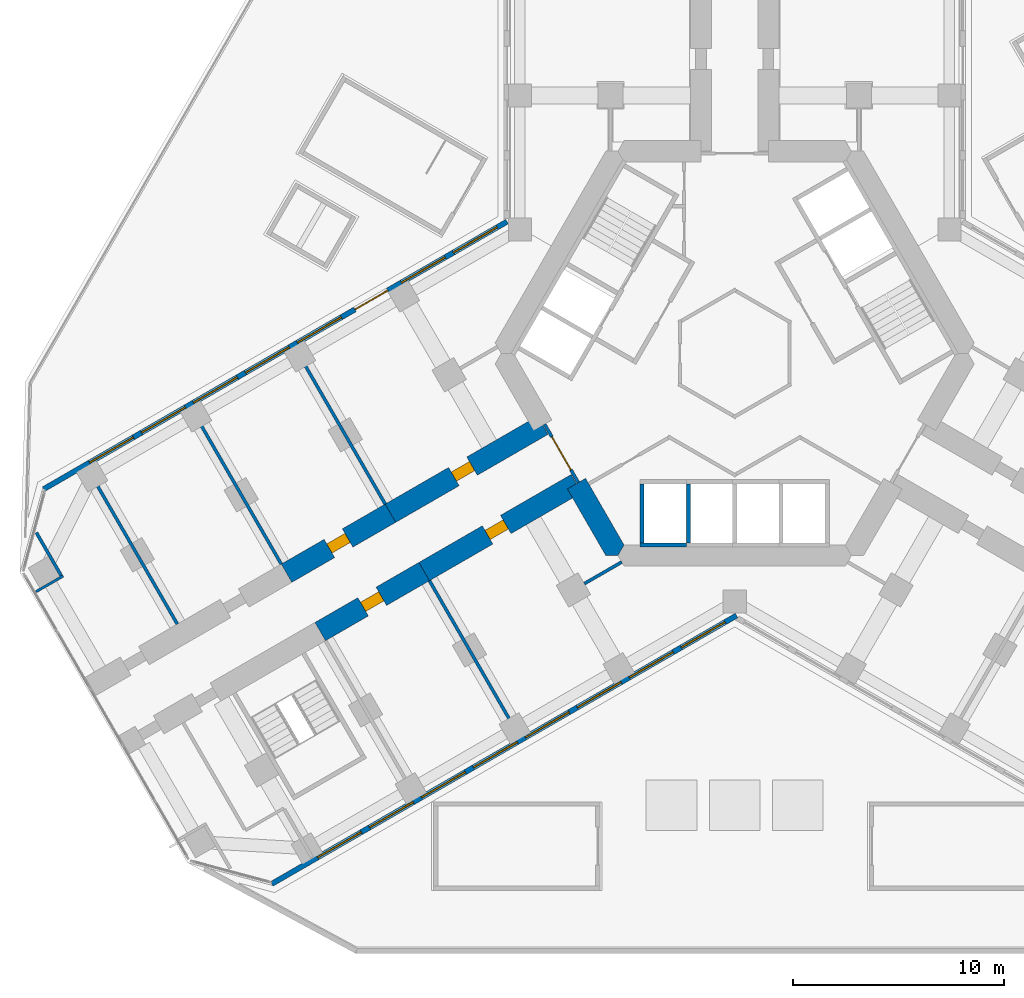
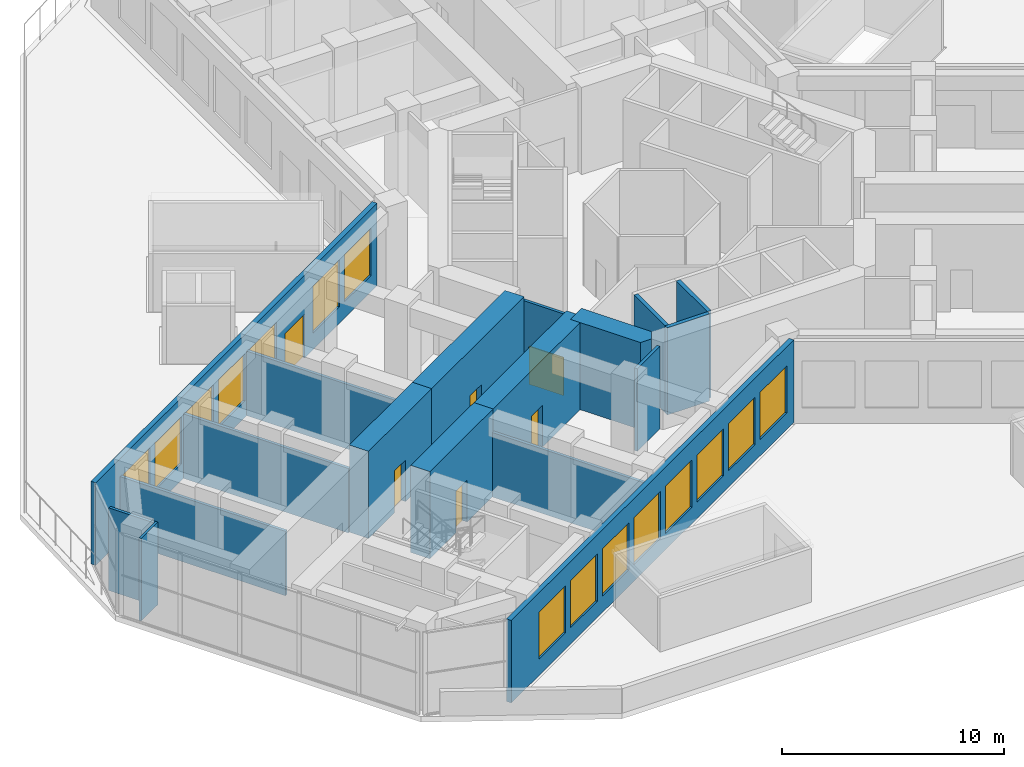
# One storey, part 10 of 18: 18 walls, 15 windows, 6 doors, 21 openings.
"""IFC4 building model written with IfcOpenShell, lengths in metres."""

from ifc_helpers import new_model, si_unit, direction, frame, frame_2d, origin, place, context, subcontext, project, spatial, polyline, rectangle, outline, extrude, material, layer, layer_set, type_object, element, fill, save


model = new_model("IFC4")

# Units and contexts
model_context = context("Model", 3, precision=1e-05, world=origin(), true_north=direction((0.0, 1.0)))
body_context = subcontext(model_context, "Body", "Model", "MODEL_VIEW")
ifc_project = project(units=[si_unit("LENGTHUNIT", "METRE"), si_unit("AREAUNIT", "SQUARE_METRE"), si_unit("VOLUMEUNIT", "CUBIC_METRE"), si_unit("PLANEANGLEUNIT", "RADIAN"), si_unit("MASSUNIT", "GRAM", prefix="KILO")], contexts=[model_context])

# Site, building, storey
site_placement = place(None, origin())
site = spatial("IfcSite", under=ifc_project, at=site_placement, CompositionType="ELEMENT")
building_placement = place(site_placement, origin())
building = spatial("IfcBuilding", under=site, at=building_placement, Name="Kosmar Iwan School Tower", CompositionType="ELEMENT")
storey_placement = place(building_placement, frame((0.0, 0.0, 20.39990234375)))
storey = spatial("IfcBuildingStorey", under=building, at=storey_placement, Name="L04", CompositionType="ELEMENT", Elevation=20.39990234375)

# Wall
ifc_material_1 = material(Name="Concrete C50/60", Category="concrete")
ifc_layer_1 = layer(ifc_material_1, 1.0)
ifc_layer_set_1 = layer_set([ifc_layer_1], Name="Core wall 1000")
wall_type_1 = type_object("IfcWallType", Name="Core wall 1000", PredefinedType="SHEAR", material=ifc_layer_set_1)
wall_1_placement = place(storey_placement, origin())
element("IfcWall", 1, at=wall_1_placement, inside=storey, type_object=wall_type_1, Name="Core wall F210b", PredefinedType="SHEAR", context=body_context, shape_type="SweptSolid", body=[
    extrude(outline(polyline([(-6.119873046875, -9.60009765625), (-5.54248046875, -9.60009765625), (-5.25390625, -9.10009765625), (-7.080810546875, -5.935546875), (-7.94677734375, -6.435546875), (-6.119873046875, -9.60009765625)])), origin(), (0.0, 0.0, 1.0), 4.800048828125),
])

# Wall, opening, door
ifc_material_2 = material(Name="Concrete C50/60", Category="concrete")
ifc_layer_2 = layer(ifc_material_2, 1.0)
ifc_layer_set_2 = layer_set([ifc_layer_2], Name="Corridor buttress wall 1000")
wall_type_2 = type_object("IfcWallType", Name="Corridor buttress wall 1000", PredefinedType="SHEAR", material=ifc_layer_set_2)
wall_2_placement = place(storey_placement, frame((-7.513916015625, -6.185546875, 0.0), z_axis=(0.0, 0.0, 1.0), x_axis=(-0.866019549707, -0.500010139422, 0.0)))
wall_2 = element("IfcWall", 2, at=wall_2_placement, inside=storey, type_object=wall_type_2, Name="Corridor wall BL", PredefinedType="SHEAR", context=body_context, shape_type="SweptSolid", body=[
    extrude(rectangle(XDim=8.349853515625, YDim=1.0, at=frame_2d((4.1748046875, 0.0))), origin(), (0.0, 0.0, 1.0), 4.800048828125),
])
opening_1_placement = place(wall_2_placement, frame((3.875, 0.0, 0.0)))
opening_1 = element("IfcOpeningElement", 3, at=opening_1_placement, cuts=wall_2, Name="Opening D4", PredefinedType="OPENING", context=body_context, shape_type="SweptSolid", body=[
    extrude(rectangle(XDim=1.0, YDim=2.300048828125, at=frame_2d((0.5, 1.14990234375))), frame((0.0, 0.511962890625, 0.0), z_axis=(0.0, -1.0, 0.0), x_axis=(1.0, 0.0, 0.0)), (0.0, 0.0, 1.0), 1.02392578125),
])
ifc_material_3 = material(Name="Timber fire door with vision panel", Category="wood")
door_type_1 = type_object("IfcDoorType", Name="Classroom door 1000x2300", OperationType="SINGLE_SWING_LEFT", PredefinedType="DOOR", material=ifc_material_3)
door_1_placement = place(opening_1_placement, origin())
door_1 = element("IfcDoor", 4, at=door_1_placement, inside=storey, type_object=door_type_1, Name="Computer room BL door L04-BL1", OperationType="SINGLE_SWING_RIGHT", OverallHeight=2.300048828125, OverallWidth=1.0, PredefinedType="DOOR", context=body_context, shape_type="SweptSolid", body=[
    extrude(rectangle(XDim=1.0, YDim=2.300048828125, at=frame_2d((0.5, 1.14990234375))), frame((0.0, 0.25, 0.0), z_axis=(0.0, -1.0, 0.0), x_axis=(1.0, 0.0, 0.0)), (0.0, 0.0, 1.0), 0.5),
])
fill(opening_1, door_1)

wall_3_placement = place(storey_placement, frame((-14.7451171875, -10.360595703125, 0.0), z_axis=(0.0, 0.0, 1.0), x_axis=(-0.866015111908, -0.50001782563, 0.0)))
wall_3 = element("IfcWall", 5, at=wall_3_placement, inside=storey, type_object=wall_type_2, Name="Corridor wall BL bay 2", PredefinedType="SHEAR", context=body_context, shape_type="SweptSolid", body=[
    extrude(rectangle(XDim=5.699951171875, YDim=1.0, at=frame_2d((2.85009765625, 0.0))), origin(), (0.0, 0.0, 1.0), 4.800048828125),
])
opening_2_placement = place(wall_3_placement, frame((2.35009765625, 0.0, 0.0)))
opening_2 = element("IfcOpeningElement", 6, at=opening_2_placement, cuts=wall_3, Name="Opening D4", PredefinedType="OPENING", context=body_context, shape_type="SweptSolid", body=[
    extrude(rectangle(XDim=1.0, YDim=2.300048828125, at=frame_2d((0.5, 1.14990234375))), frame((0.0, 0.511962890625, 0.0), z_axis=(0.0, -1.0, 0.0), x_axis=(1.0, 0.0, 0.0)), (0.0, 0.0, 1.0), 1.02392578125),
])
door_2_placement = place(opening_2_placement, origin())
door_2 = element("IfcDoor", 7, at=door_2_placement, inside=storey, type_object=door_type_1, Name="Robotics studio BL door L04-BL2", OperationType="SINGLE_SWING_RIGHT", OverallHeight=2.300048828125, OverallWidth=1.0, PredefinedType="DOOR", context=body_context, shape_type="SweptSolid", body=[
    extrude(rectangle(XDim=1.0, YDim=2.300048828125, at=frame_2d((0.5, 1.14990234375))), frame((0.0, 0.25, 0.0), z_axis=(0.0, -1.0, 0.0), x_axis=(1.0, 0.0, 0.0)), (0.0, 0.0, 1.0), 0.5),
])
fill(opening_2, door_2)

wall_4_placement = place(storey_placement, frame((-9.11376953125, -3.414306640625, 0.0), z_axis=(0.0, 0.0, 1.0), x_axis=(-0.866026859388, -0.499997478812, 0.0)))
wall_4 = element("IfcWall", 8, at=wall_4_placement, inside=storey, type_object=wall_type_2, Name="Corridor wall BR", PredefinedType="SHEAR", context=body_context, shape_type="SweptSolid", body=[
    extrude(rectangle(XDim=8.35009765625, YDim=1.0, at=frame_2d((4.175048828125, 0.0))), origin(), (0.0, 0.0, 1.0), 4.800048828125),
])
opening_3_placement = place(wall_4_placement, frame((3.875, 0.0, 0.0)))
opening_3 = element("IfcOpeningElement", 9, at=opening_3_placement, cuts=wall_4, Name="Opening D4", PredefinedType="OPENING", context=body_context, shape_type="SweptSolid", body=[
    extrude(rectangle(XDim=1.0, YDim=2.300048828125, at=frame_2d((0.5, 1.14990234375))), frame((0.0, 0.511962890625, 0.0), z_axis=(0.0, -1.0, 0.0), x_axis=(1.0, 0.0, 0.0)), (0.0, 0.0, 1.0), 1.02392578125),
])
door_3_placement = place(opening_3_placement, origin())
door_3 = element("IfcDoor", 10, at=door_3_placement, inside=storey, type_object=door_type_1, Name="Computer room BR door L04-BR1", OperationType="SINGLE_SWING_RIGHT", OverallHeight=2.300048828125, OverallWidth=1.0, PredefinedType="DOOR", context=body_context, shape_type="SweptSolid", body=[
    extrude(rectangle(XDim=1.0, YDim=2.300048828125, at=frame_2d((0.5, 1.14990234375))), frame((0.0, 0.25, 0.0), z_axis=(0.0, -1.0, 0.0), x_axis=(1.0, 0.0, 0.0)), (0.0, 0.0, 1.0), 0.5),
])
fill(opening_3, door_3)

wall_5_placement = place(storey_placement, frame((-16.34521484375, -7.58935546875, 0.0), z_axis=(0.0, 0.0, 1.0), x_axis=(-0.866015111908, -0.50001782563, 0.0)))
wall_5 = element("IfcWall", 11, at=wall_5_placement, inside=storey, type_object=wall_type_2, Name="Corridor wall BR bay 2", PredefinedType="SHEAR", context=body_context, shape_type="SweptSolid", body=[
    extrude(rectangle(XDim=5.699951171875, YDim=1.0, at=frame_2d((2.85009765625, 0.0))), origin(), (0.0, 0.0, 1.0), 4.800048828125),
])
opening_4_placement = place(wall_5_placement, frame((2.35009765625, 0.0, 0.0)))
opening_4 = element("IfcOpeningElement", 12, at=opening_4_placement, cuts=wall_5, Name="Opening D4", PredefinedType="OPENING", context=body_context, shape_type="SweptSolid", body=[
    extrude(rectangle(XDim=1.0, YDim=2.300048828125, at=frame_2d((0.5, 1.14990234375))), frame((0.0, 0.511962890625, 0.0), z_axis=(0.0, -1.0, 0.0), x_axis=(1.0, 0.0, 0.0)), (0.0, 0.0, 1.0), 1.02392578125),
])
door_4_placement = place(opening_4_placement, origin())
door_4 = element("IfcDoor", 13, at=door_4_placement, inside=storey, type_object=door_type_1, Name="Robotics studio BR door L04-BR2", OperationType="SINGLE_SWING_LEFT", OverallHeight=2.300048828125, OverallWidth=1.0, PredefinedType="DOOR", context=body_context, shape_type="SweptSolid", body=[
    extrude(rectangle(XDim=1.0, YDim=2.300048828125, at=frame_2d((0.5, 1.14990234375))), frame((0.0, 0.25, 0.0), z_axis=(0.0, -1.0, 0.0), x_axis=(1.0, 0.0, 0.0)), (0.0, 0.0, 1.0), 0.5),
])
fill(opening_4, door_4)

ifc_material_4 = material(Name="Steel framed glazed screen", Category="steel")
ifc_layer_3 = layer(ifc_material_4, 0.14990234375)
ifc_layer_set_3 = layer_set([ifc_layer_3], Name="Corridor screen wall 150")
wall_type_3 = type_object("IfcWallType", Name="Corridor screen wall 150", PredefinedType="PARTITIONING", material=ifc_layer_set_3)
wall_6_placement = place(storey_placement, frame((-9.02734375, -3.3642578125, 0.0), z_axis=(0.0, 0.0, 1.0), x_axis=(0.499995408039, -0.866028054938, 0.0)))
wall_6 = element("IfcWall", 14, at=wall_6_placement, inside=storey, type_object=wall_type_3, Name="Corridor screen B L04", PredefinedType="PARTITIONING", context=body_context, shape_type="SweptSolid", body=[
    extrude(rectangle(XDim=3.2001953125, YDim=0.14990234375, at=frame_2d((1.60009765625, 0.0))), origin(), (0.0, 0.0, 1.0), 4.550048828125),
])
opening_5_placement = place(wall_6_placement, frame((0.699951171875, 0.0, 0.0)))
opening_5 = element("IfcOpeningElement", 15, at=opening_5_placement, cuts=wall_6, Name="Opening D9", PredefinedType="OPENING", context=body_context, shape_type="SweptSolid", body=[
    extrude(rectangle(XDim=1.800048828125, YDim=2.10009765625, at=frame_2d((0.89990234375, 1.050048828125))), frame((0.0, 0.0869140625, 0.0), z_axis=(0.0, -1.0, 0.0), x_axis=(1.0, 0.0, 0.0)), (0.0, 0.0, 1.0), 0.173828125),
])
ifc_material_5 = material(Name="Steel framed glazed smoke door", Category="steel")
door_type_2 = type_object("IfcDoorType", Name="Corridor smoke door pair 1800x2100", OperationType="DOUBLE_DOOR_DOUBLE_SWING", PredefinedType="DOOR", material=ifc_material_5)
door_5_placement = place(opening_5_placement, origin())
door_5 = element("IfcDoor", 16, at=door_5_placement, inside=storey, type_object=door_type_2, Name="Corridor doors B L04", OperationType="DOUBLE_DOOR_DOUBLE_SWING", OverallHeight=2.10009765625, OverallWidth=1.800048828125, PredefinedType="DOOR", context=body_context, shape_type="SweptSolid", body=[
    extrude(rectangle(XDim=1.800048828125, YDim=2.10009765625, at=frame_2d((0.89990234375, 1.050048828125))), frame((0.0, 0.02490234375, 0.0), z_axis=(0.0, -1.0, 0.0), x_axis=(1.0, 0.0, 0.0)), (0.0, 0.0, 1.0), 0.050048828125),
])
fill(opening_5, door_5)

# Wall
ifc_material_6 = material(Name="Gypsum board on steel studs", Category="steel")
ifc_layer_4 = layer(ifc_material_6, 0.1201171875)
ifc_layer_set_4 = layer_set([ifc_layer_4], Name="Dwelling partition 120")
wall_type_4 = type_object("IfcWallType", Name="Dwelling partition 120", PredefinedType="PARTITIONING", material=ifc_layer_set_4)
wall_7_placement = place(storey_placement, frame((-31.88720703125, -10.569580078125, 0.0), z_axis=(0.0, 0.0, 1.0), x_axis=(-0.866003374288, -0.500038154266, 0.0)))
element("IfcWall", 17, at=wall_7_placement, inside=storey, type_object=wall_type_4, Name="Partition L04-BR-DL", PredefinedType="PARTITIONING", context=body_context, shape_type="SweptSolid", body=[
    extrude(rectangle(XDim=1.4951171875, YDim=0.1201171875, at=frame_2d((0.74755859375, 0.0))), origin(), (0.0, 0.0, 1.0), 4.550048828125),
])

# Wall, openings, windows
ifc_material_7 = material(Name="Black aluminium rainscreen on insulated framing", Category="aluminium")
ifc_layer_5 = layer(ifc_material_7, 0.25)
ifc_layer_set_5 = layer_set([ifc_layer_5], Name="External wall rainscreen 250")
wall_type_5 = type_object("IfcWallType", Name="External wall rainscreen 250", PredefinedType="SOLIDWALL", material=ifc_layer_set_5)
wall_8_placement = place(storey_placement, frame((0.088134765625, -12.44873046875, 0.0), z_axis=(0.0, 0.0, 1.0), x_axis=(-0.866026390279, -0.499998291337, 0.0)))
wall_8 = element("IfcWall", 18, at=wall_8_placement, inside=storey, type_object=wall_type_5, Name="External wall BL L04", PredefinedType="SOLIDWALL", context=body_context, shape_type="SweptSolid", body=[
    extrude(rectangle(XDim=25.4873046875, YDim=0.25, at=frame_2d((12.74365234375, 0.0))), origin(), (0.0, 0.0, 1.0), 4.550048828125),
])
opening_6_placement = place(wall_8_placement, frame((0.626953125, 0.0, 0.89990234375)))
opening_6 = element("IfcOpeningElement", 19, at=opening_6_placement, cuts=wall_8, Name="Opening W2", PredefinedType="OPENING", context=body_context, shape_type="SweptSolid", body=[
    extrude(rectangle(XDim=2.39990234375, YDim=2.60009765625, at=frame_2d((1.199951171875, 1.300048828125))), frame((0.0, 0.136962890625, 0.0), z_axis=(0.0, -1.0, 0.0), x_axis=(1.0, 0.0, 0.0)), (0.0, 0.0, 1.0), 0.27392578125),
])
opening_7_placement = place(wall_8_placement, frame((3.47705078125, 0.0, 0.89990234375)))
opening_7 = element("IfcOpeningElement", 20, at=opening_7_placement, cuts=wall_8, Name="Opening W2", PredefinedType="OPENING", context=body_context, shape_type="SweptSolid", body=[
    extrude(rectangle(XDim=2.39990234375, YDim=2.60009765625, at=frame_2d((1.199951171875, 1.300048828125))), frame((0.0, 0.136962890625, 0.0), z_axis=(0.0, -1.0, 0.0), x_axis=(1.0, 0.0, 0.0)), (0.0, 0.0, 1.0), 0.27392578125),
])
opening_8_placement = place(wall_8_placement, frame((6.326904296875, 0.0, 0.89990234375)))
opening_8 = element("IfcOpeningElement", 21, at=opening_8_placement, cuts=wall_8, Name="Opening W2", PredefinedType="OPENING", context=body_context, shape_type="SweptSolid", body=[
    extrude(rectangle(XDim=2.39990234375, YDim=2.60009765625, at=frame_2d((1.199951171875, 1.300048828125))), frame((0.0, 0.136962890625, 0.0), z_axis=(0.0, -1.0, 0.0), x_axis=(1.0, 0.0, 0.0)), (0.0, 0.0, 1.0), 0.27392578125),
])
opening_9_placement = place(wall_8_placement, frame((9.177001953125, 0.0, 0.89990234375)))
opening_9 = element("IfcOpeningElement", 22, at=opening_9_placement, cuts=wall_8, Name="Opening W2", PredefinedType="OPENING", context=body_context, shape_type="SweptSolid", body=[
    extrude(rectangle(XDim=2.39990234375, YDim=2.60009765625, at=frame_2d((1.199951171875, 1.300048828125))), frame((0.0, 0.136962890625, 0.0), z_axis=(0.0, -1.0, 0.0), x_axis=(1.0, 0.0, 0.0)), (0.0, 0.0, 1.0), 0.27392578125),
])
opening_10_placement = place(wall_8_placement, frame((12.027099609375, 0.0, 0.89990234375)))
opening_10 = element("IfcOpeningElement", 23, at=opening_10_placement, cuts=wall_8, Name="Opening W2", PredefinedType="OPENING", context=body_context, shape_type="SweptSolid", body=[
    extrude(rectangle(XDim=2.39990234375, YDim=2.60009765625, at=frame_2d((1.199951171875, 1.300048828125))), frame((0.0, 0.136962890625, 0.0), z_axis=(0.0, -1.0, 0.0), x_axis=(1.0, 0.0, 0.0)), (0.0, 0.0, 1.0), 0.27392578125),
])
opening_11_placement = place(wall_8_placement, frame((14.876953125, 0.0, 0.89990234375)))
opening_11 = element("IfcOpeningElement", 24, at=opening_11_placement, cuts=wall_8, Name="Opening W2", PredefinedType="OPENING", context=body_context, shape_type="SweptSolid", body=[
    extrude(rectangle(XDim=2.39990234375, YDim=2.60009765625, at=frame_2d((1.199951171875, 1.300048828125))), frame((0.0, 0.136962890625, 0.0), z_axis=(0.0, -1.0, 0.0), x_axis=(1.0, 0.0, 0.0)), (0.0, 0.0, 1.0), 0.27392578125),
])
opening_12_placement = place(wall_8_placement, frame((17.72705078125, 0.0, 0.89990234375)))
opening_12 = element("IfcOpeningElement", 25, at=opening_12_placement, cuts=wall_8, Name="Opening W2", PredefinedType="OPENING", context=body_context, shape_type="SweptSolid", body=[
    extrude(rectangle(XDim=2.39990234375, YDim=2.60009765625, at=frame_2d((1.199951171875, 1.300048828125))), frame((0.0, 0.136962890625, 0.0), z_axis=(0.0, -1.0, 0.0), x_axis=(1.0, 0.0, 0.0)), (0.0, 0.0, 1.0), 0.27392578125),
])
opening_13_placement = place(wall_8_placement, frame((20.576904296875, 0.0, 0.89990234375)))
opening_13 = element("IfcOpeningElement", 26, at=opening_13_placement, cuts=wall_8, Name="Opening W2", PredefinedType="OPENING", context=body_context, shape_type="SweptSolid", body=[
    extrude(rectangle(XDim=2.39990234375, YDim=2.60009765625, at=frame_2d((1.199951171875, 1.300048828125))), frame((0.0, 0.136962890625, 0.0), z_axis=(0.0, -1.0, 0.0), x_axis=(1.0, 0.0, 0.0)), (0.0, 0.0, 1.0), 0.27392578125),
])
ifc_material_8 = material(Name="Black aluminium frame with dark triple glazing", Category="aluminium")
window_type = type_object("IfcWindowType", Name="Window 2400x2600", PartitioningType="SINGLE_PANEL", PredefinedType="WINDOW", material=ifc_material_8)
window_1_placement = place(opening_6_placement, origin())
window_1 = element("IfcWindow", 27, at=window_1_placement, inside=storey, type_object=window_type, Name="Window BL L04 -1", OverallHeight=2.60009765625, OverallWidth=2.39990234375, PartitioningType="SINGLE_PANEL", PredefinedType="WINDOW", context=body_context, shape_type="SweptSolid", body=[
    extrude(rectangle(XDim=2.39990234375, YDim=2.60009765625, at=frame_2d((1.199951171875, 1.300048828125))), frame((0.0, 0.030029296875, 0.0), z_axis=(0.0, -1.0, 0.0), x_axis=(1.0, 0.0, 0.0)), (0.0, 0.0, 1.0), 0.06005859375),
])
fill(opening_6, window_1)
window_2_placement = place(opening_7_placement, origin())
window_2 = element("IfcWindow", 28, at=window_2_placement, inside=storey, type_object=window_type, Name="Window BL L04 0", OverallHeight=2.60009765625, OverallWidth=2.39990234375, PartitioningType="SINGLE_PANEL", PredefinedType="WINDOW", context=body_context, shape_type="SweptSolid", body=[
    extrude(rectangle(XDim=2.39990234375, YDim=2.60009765625, at=frame_2d((1.199951171875, 1.300048828125))), frame((0.0, 0.030029296875, 0.0), z_axis=(0.0, -1.0, 0.0), x_axis=(1.0, 0.0, 0.0)), (0.0, 0.0, 1.0), 0.06005859375),
])
fill(opening_7, window_2)
window_3_placement = place(opening_8_placement, origin())
window_3 = element("IfcWindow", 29, at=window_3_placement, inside=storey, type_object=window_type, Name="Window BL L04 1", OverallHeight=2.60009765625, OverallWidth=2.39990234375, PartitioningType="SINGLE_PANEL", PredefinedType="WINDOW", context=body_context, shape_type="SweptSolid", body=[
    extrude(rectangle(XDim=2.39990234375, YDim=2.60009765625, at=frame_2d((1.199951171875, 1.300048828125))), frame((0.0, 0.030029296875, 0.0), z_axis=(0.0, -1.0, 0.0), x_axis=(1.0, 0.0, 0.0)), (0.0, 0.0, 1.0), 0.06005859375),
])
fill(opening_8, window_3)
window_4_placement = place(opening_9_placement, origin())
window_4 = element("IfcWindow", 30, at=window_4_placement, inside=storey, type_object=window_type, Name="Window BL L04 2", OverallHeight=2.60009765625, OverallWidth=2.39990234375, PartitioningType="SINGLE_PANEL", PredefinedType="WINDOW", context=body_context, shape_type="SweptSolid", body=[
    extrude(rectangle(XDim=2.39990234375, YDim=2.60009765625, at=frame_2d((1.199951171875, 1.300048828125))), frame((0.0, 0.030029296875, 0.0), z_axis=(0.0, -1.0, 0.0), x_axis=(1.0, 0.0, 0.0)), (0.0, 0.0, 1.0), 0.06005859375),
])
fill(opening_9, window_4)
window_5_placement = place(opening_10_placement, origin())
window_5 = element("IfcWindow", 31, at=window_5_placement, inside=storey, type_object=window_type, Name="Window BL L04 3", OverallHeight=2.60009765625, OverallWidth=2.39990234375, PartitioningType="SINGLE_PANEL", PredefinedType="WINDOW", context=body_context, shape_type="SweptSolid", body=[
    extrude(rectangle(XDim=2.39990234375, YDim=2.60009765625, at=frame_2d((1.199951171875, 1.300048828125))), frame((0.0, 0.030029296875, 0.0), z_axis=(0.0, -1.0, 0.0), x_axis=(1.0, 0.0, 0.0)), (0.0, 0.0, 1.0), 0.06005859375),
])
fill(opening_10, window_5)
window_6_placement = place(opening_11_placement, origin())
window_6 = element("IfcWindow", 32, at=window_6_placement, inside=storey, type_object=window_type, Name="Window BL L04 4", OverallHeight=2.60009765625, OverallWidth=2.39990234375, PartitioningType="SINGLE_PANEL", PredefinedType="WINDOW", context=body_context, shape_type="SweptSolid", body=[
    extrude(rectangle(XDim=2.39990234375, YDim=2.60009765625, at=frame_2d((1.199951171875, 1.300048828125))), frame((0.0, 0.030029296875, 0.0), z_axis=(0.0, -1.0, 0.0), x_axis=(1.0, 0.0, 0.0)), (0.0, 0.0, 1.0), 0.06005859375),
])
fill(opening_11, window_6)
window_7_placement = place(opening_12_placement, origin())
window_7 = element("IfcWindow", 33, at=window_7_placement, inside=storey, type_object=window_type, Name="Window BL L04 5", OverallHeight=2.60009765625, OverallWidth=2.39990234375, PartitioningType="SINGLE_PANEL", PredefinedType="WINDOW", context=body_context, shape_type="SweptSolid", body=[
    extrude(rectangle(XDim=2.39990234375, YDim=2.60009765625, at=frame_2d((1.199951171875, 1.300048828125))), frame((0.0, 0.030029296875, 0.0), z_axis=(0.0, -1.0, 0.0), x_axis=(1.0, 0.0, 0.0)), (0.0, 0.0, 1.0), 0.06005859375),
])
fill(opening_12, window_7)
window_8_placement = place(opening_13_placement, origin())
window_8 = element("IfcWindow", 34, at=window_8_placement, inside=storey, type_object=window_type, Name="Window BL L04 6", OverallHeight=2.60009765625, OverallWidth=2.39990234375, PartitioningType="SINGLE_PANEL", PredefinedType="WINDOW", context=body_context, shape_type="SweptSolid", body=[
    extrude(rectangle(XDim=2.39990234375, YDim=2.60009765625, at=frame_2d((1.199951171875, 1.300048828125))), frame((0.0, 0.030029296875, 0.0), z_axis=(0.0, -1.0, 0.0), x_axis=(1.0, 0.0, 0.0)), (0.0, 0.0, 1.0), 0.06005859375),
])
fill(opening_13, window_8)

# Wall, openings, door, windows
wall_9_placement = place(storey_placement, frame((-10.8125, 6.257080078125, 0.0), z_axis=(0.0, 0.0, 1.0), x_axis=(-0.86602648281, -0.499998131069, 0.0)))
wall_9 = element("IfcWall", 35, at=wall_9_placement, inside=storey, type_object=wall_type_5, Name="External wall BR L04", PredefinedType="SOLIDWALL", context=body_context, shape_type="SweptSolid", body=[
    extrude(rectangle(XDim=25.39990234375, YDim=0.25, at=frame_2d((12.699951171875, 0.0))), origin(), (0.0, 0.0, 1.0), 4.550048828125),
])
opening_14_placement = place(wall_9_placement, frame((0.53955078125, 0.0, 0.89990234375)))
opening_14 = element("IfcOpeningElement", 36, at=opening_14_placement, cuts=wall_9, Name="Opening W2", PredefinedType="OPENING", context=body_context, shape_type="SweptSolid", body=[
    extrude(rectangle(XDim=2.39990234375, YDim=2.60009765625, at=frame_2d((1.199951171875, 1.300048828125))), frame((0.0, 0.136962890625, 0.0), z_axis=(0.0, -1.0, 0.0), x_axis=(1.0, 0.0, 0.0)), (0.0, 0.0, 1.0), 0.27392578125),
])
opening_15_placement = place(wall_9_placement, frame((3.3896484375, 0.0, 0.89990234375)))
opening_15 = element("IfcOpeningElement", 37, at=opening_15_placement, cuts=wall_9, Name="Opening W2", PredefinedType="OPENING", context=body_context, shape_type="SweptSolid", body=[
    extrude(rectangle(XDim=2.39990234375, YDim=2.60009765625, at=frame_2d((1.199951171875, 1.300048828125))), frame((0.0, 0.136962890625, 0.0), z_axis=(0.0, -1.0, 0.0), x_axis=(1.0, 0.0, 0.0)), (0.0, 0.0, 1.0), 0.27392578125),
])
opening_16_placement = place(wall_9_placement, frame((6.53955078125, 0.0, 0.0)))
opening_16 = element("IfcOpeningElement", 38, at=opening_16_placement, cuts=wall_9, Name="Opening D12", PredefinedType="OPENING", context=body_context, shape_type="SweptSolid", body=[
    extrude(rectangle(XDim=1.800048828125, YDim=2.39990234375, at=frame_2d((0.89990234375, 1.199951171875))), frame((0.0, 0.136962890625, 0.0), z_axis=(0.0, -1.0, 0.0), x_axis=(1.0, 0.0, 0.0)), (0.0, 0.0, 1.0), 0.27392578125),
])
opening_17_placement = place(wall_9_placement, frame((9.089599609375, 0.0, 0.89990234375)))
opening_17 = element("IfcOpeningElement", 39, at=opening_17_placement, cuts=wall_9, Name="Opening W2", PredefinedType="OPENING", context=body_context, shape_type="SweptSolid", body=[
    extrude(rectangle(XDim=2.39990234375, YDim=2.60009765625, at=frame_2d((1.199951171875, 1.300048828125))), frame((0.0, 0.136962890625, 0.0), z_axis=(0.0, -1.0, 0.0), x_axis=(1.0, 0.0, 0.0)), (0.0, 0.0, 1.0), 0.27392578125),
])
opening_18_placement = place(wall_9_placement, frame((11.939697265625, 0.0, 0.89990234375)))
opening_18 = element("IfcOpeningElement", 40, at=opening_18_placement, cuts=wall_9, Name="Opening W2", PredefinedType="OPENING", context=body_context, shape_type="SweptSolid", body=[
    extrude(rectangle(XDim=2.39990234375, YDim=2.60009765625, at=frame_2d((1.199951171875, 1.300048828125))), frame((0.0, 0.136962890625, 0.0), z_axis=(0.0, -1.0, 0.0), x_axis=(1.0, 0.0, 0.0)), (0.0, 0.0, 1.0), 0.27392578125),
])
opening_19_placement = place(wall_9_placement, frame((14.78955078125, 0.0, 0.89990234375)))
opening_19 = element("IfcOpeningElement", 41, at=opening_19_placement, cuts=wall_9, Name="Opening W2", PredefinedType="OPENING", context=body_context, shape_type="SweptSolid", body=[
    extrude(rectangle(XDim=2.39990234375, YDim=2.60009765625, at=frame_2d((1.199951171875, 1.300048828125))), frame((0.0, 0.136962890625, 0.0), z_axis=(0.0, -1.0, 0.0), x_axis=(1.0, 0.0, 0.0)), (0.0, 0.0, 1.0), 0.27392578125),
])
opening_20_placement = place(wall_9_placement, frame((17.6396484375, 0.0, 0.89990234375)))
opening_20 = element("IfcOpeningElement", 42, at=opening_20_placement, cuts=wall_9, Name="Opening W2", PredefinedType="OPENING", context=body_context, shape_type="SweptSolid", body=[
    extrude(rectangle(XDim=2.39990234375, YDim=2.60009765625, at=frame_2d((1.199951171875, 1.300048828125))), frame((0.0, 0.136962890625, 0.0), z_axis=(0.0, -1.0, 0.0), x_axis=(1.0, 0.0, 0.0)), (0.0, 0.0, 1.0), 0.27392578125),
])
opening_21_placement = place(wall_9_placement, frame((20.48974609375, 0.0, 0.89990234375)))
opening_21 = element("IfcOpeningElement", 43, at=opening_21_placement, cuts=wall_9, Name="Opening W2", PredefinedType="OPENING", context=body_context, shape_type="SweptSolid", body=[
    extrude(rectangle(XDim=2.39990234375, YDim=2.60009765625, at=frame_2d((1.199951171875, 1.300048828125))), frame((0.0, 0.136962890625, 0.0), z_axis=(0.0, -1.0, 0.0), x_axis=(1.0, 0.0, 0.0)), (0.0, 0.0, 1.0), 0.27392578125),
])
ifc_material_9 = material(Name="Black steel framed glazed door", Category="steel")
door_type_3 = type_object("IfcDoorType", Name="Deck door pair 1800x2400", OperationType="DOUBLE_DOOR_SINGLE_SWING", PredefinedType="DOOR", material=ifc_material_9)
door_6_placement = place(opening_16_placement, frame((1.800048828125, 0.0, 0.0), z_axis=(0.0, 0.0, 1.0), x_axis=(-1.0, 0.0, 0.0)))
door_6 = element("IfcDoor", 44, at=door_6_placement, inside=storey, type_object=door_type_3, Name="Play deck door BR", OperationType="DOUBLE_DOOR_SINGLE_SWING", OverallHeight=2.39990234375, OverallWidth=1.800048828125, PredefinedType="DOOR", context=body_context, shape_type="SweptSolid", body=[
    extrude(rectangle(XDim=1.800048828125, YDim=2.39990234375, at=frame_2d((0.89990234375, 1.199951171875))), frame((0.0, 0.02490234375, 0.0), z_axis=(0.0, -1.0, 0.0), x_axis=(1.0, 0.0, 0.0)), (0.0, 0.0, 1.0), 0.050048828125),
])
fill(opening_16, door_6)
window_9_placement = place(opening_14_placement, origin())
window_9 = element("IfcWindow", 45, at=window_9_placement, inside=storey, type_object=window_type, Name="Window BR L04 -1", OverallHeight=2.60009765625, OverallWidth=2.39990234375, PartitioningType="SINGLE_PANEL", PredefinedType="WINDOW", context=body_context, shape_type="SweptSolid", body=[
    extrude(rectangle(XDim=2.39990234375, YDim=2.60009765625, at=frame_2d((1.199951171875, 1.300048828125))), frame((0.0, 0.030029296875, 0.0), z_axis=(0.0, -1.0, 0.0), x_axis=(1.0, 0.0, 0.0)), (0.0, 0.0, 1.0), 0.06005859375),
])
fill(opening_14, window_9)
window_10_placement = place(opening_15_placement, origin())
window_10 = element("IfcWindow", 46, at=window_10_placement, inside=storey, type_object=window_type, Name="Window BR L04 0", OverallHeight=2.60009765625, OverallWidth=2.39990234375, PartitioningType="SINGLE_PANEL", PredefinedType="WINDOW", context=body_context, shape_type="SweptSolid", body=[
    extrude(rectangle(XDim=2.39990234375, YDim=2.60009765625, at=frame_2d((1.199951171875, 1.300048828125))), frame((0.0, 0.030029296875, 0.0), z_axis=(0.0, -1.0, 0.0), x_axis=(1.0, 0.0, 0.0)), (0.0, 0.0, 1.0), 0.06005859375),
])
fill(opening_15, window_10)
window_11_placement = place(opening_17_placement, origin())
window_11 = element("IfcWindow", 47, at=window_11_placement, inside=storey, type_object=window_type, Name="Window BR L04 2", OverallHeight=2.60009765625, OverallWidth=2.39990234375, PartitioningType="SINGLE_PANEL", PredefinedType="WINDOW", context=body_context, shape_type="SweptSolid", body=[
    extrude(rectangle(XDim=2.39990234375, YDim=2.60009765625, at=frame_2d((1.199951171875, 1.300048828125))), frame((0.0, 0.030029296875, 0.0), z_axis=(0.0, -1.0, 0.0), x_axis=(1.0, 0.0, 0.0)), (0.0, 0.0, 1.0), 0.06005859375),
])
fill(opening_17, window_11)
window_12_placement = place(opening_18_placement, origin())
window_12 = element("IfcWindow", 48, at=window_12_placement, inside=storey, type_object=window_type, Name="Window BR L04 3", OverallHeight=2.60009765625, OverallWidth=2.39990234375, PartitioningType="SINGLE_PANEL", PredefinedType="WINDOW", context=body_context, shape_type="SweptSolid", body=[
    extrude(rectangle(XDim=2.39990234375, YDim=2.60009765625, at=frame_2d((1.199951171875, 1.300048828125))), frame((0.0, 0.030029296875, 0.0), z_axis=(0.0, -1.0, 0.0), x_axis=(1.0, 0.0, 0.0)), (0.0, 0.0, 1.0), 0.06005859375),
])
fill(opening_18, window_12)
window_13_placement = place(opening_19_placement, origin())
window_13 = element("IfcWindow", 49, at=window_13_placement, inside=storey, type_object=window_type, Name="Window BR L04 4", OverallHeight=2.60009765625, OverallWidth=2.39990234375, PartitioningType="SINGLE_PANEL", PredefinedType="WINDOW", context=body_context, shape_type="SweptSolid", body=[
    extrude(rectangle(XDim=2.39990234375, YDim=2.60009765625, at=frame_2d((1.199951171875, 1.300048828125))), frame((0.0, 0.030029296875, 0.0), z_axis=(0.0, -1.0, 0.0), x_axis=(1.0, 0.0, 0.0)), (0.0, 0.0, 1.0), 0.06005859375),
])
fill(opening_19, window_13)
window_14_placement = place(opening_20_placement, origin())
window_14 = element("IfcWindow", 50, at=window_14_placement, inside=storey, type_object=window_type, Name="Window BR L04 5", OverallHeight=2.60009765625, OverallWidth=2.39990234375, PartitioningType="SINGLE_PANEL", PredefinedType="WINDOW", context=body_context, shape_type="SweptSolid", body=[
    extrude(rectangle(XDim=2.39990234375, YDim=2.60009765625, at=frame_2d((1.199951171875, 1.300048828125))), frame((0.0, 0.030029296875, 0.0), z_axis=(0.0, -1.0, 0.0), x_axis=(1.0, 0.0, 0.0)), (0.0, 0.0, 1.0), 0.06005859375),
])
fill(opening_20, window_14)
window_15_placement = place(opening_21_placement, origin())
window_15 = element("IfcWindow", 51, at=window_15_placement, inside=storey, type_object=window_type, Name="Window BR L04 6", OverallHeight=2.60009765625, OverallWidth=2.39990234375, PartitioningType="SINGLE_PANEL", PredefinedType="WINDOW", context=body_context, shape_type="SweptSolid", body=[
    extrude(rectangle(XDim=2.39990234375, YDim=2.60009765625, at=frame_2d((1.199951171875, 1.300048828125))), frame((0.0, 0.030029296875, 0.0), z_axis=(0.0, -1.0, 0.0), x_axis=(1.0, 0.0, 0.0)), (0.0, 0.0, 1.0), 0.06005859375),
])
fill(opening_21, window_15)

# Walls
ifc_material_10 = material(Name="Concrete C50/60", Category="concrete")
ifc_layer_6 = layer(ifc_material_10, 0.199951171875)
ifc_layer_set_6 = layer_set([ifc_layer_6], Name="Lift shaft wall 200")
wall_type_6 = type_object("IfcWallType", Name="Lift shaft wall 200", PredefinedType="SHEAR", material=ifc_layer_set_6)
wall_10_placement = place(storey_placement, frame((-4.5, -9.10009765625, 0.0), z_axis=(0.0, 0.0, 1.0), x_axis=(1.0, 0.0, 0.0)))
element("IfcWall", 52, at=wall_10_placement, inside=storey, type_object=wall_type_6, Name="Lift and stair back wall BC", PredefinedType="SHEAR", context=body_context, shape_type="SweptSolid", body=[
    extrude(rectangle(XDim=2.199951171875, YDim=0.199951171875, at=frame_2d((1.10009765625, 0.0))), origin(), (0.0, 0.0, 1.0), 4.800048828125),
])
for number, where, z_axis, x_axis, name in (
    (53, (-4.39990234375, -6.199951171875, 0.0), (0.0, 0.0, 1.0), (0.0, -1.0, 0.0), "Lift shaft wall BC 0"),
    (54, (-2.199951171875, -6.199951171875, 0.0), (0.0, 0.0, 1.0), (0.0, -1.0, 0.0), "Lift shaft wall BC 1"),
):
    element("IfcWall", number, at=place(storey_placement, frame(where, z_axis=z_axis, x_axis=x_axis)), inside=storey, type_object=wall_type_6, Name=name, PredefinedType="SHEAR", context=body_context, shape_type="SweptSolid", body=[
        extrude(rectangle(XDim=2.800048828125, YDim=0.199951171875, at=frame_2d((1.39990234375, 0.0))), origin(), (0.0, 0.0, 1.0), 4.800048828125),
    ])
ifc_material_11 = material(Name="Gypsum board on steel studs", Category="steel")
ifc_layer_7 = layer(ifc_material_11, 0.14990234375)
ifc_layer_set_7 = layer_set([ifc_layer_7], Name="School partition 150")
wall_type_7 = type_object("IfcWallType", Name="School partition 150", PredefinedType="PARTITIONING", material=ifc_layer_set_7)
wall_11_placement = place(storey_placement, frame((-5.36376953125, -9.909423828125, 0.0), z_axis=(0.0, 0.0, 1.0), x_axis=(-0.865999163574, -0.500045446624, 0.0)))
element("IfcWall", 55, at=wall_11_placement, inside=storey, type_object=wall_type_7, Name="Partition L04-BL-NB", PredefinedType="PARTITIONING", context=body_context, shape_type="SweptSolid", body=[
    extrude(rectangle(XDim=2.050048828125, YDim=0.14990234375, at=frame_2d((1.02490234375, 0.0))), origin(), (0.0, 0.0, 1.0), 4.550048828125),
])
wall_12_placement = place(storey_placement, frame((-14.4951171875, -10.793701171875, 0.0), z_axis=(0.0, 0.0, 1.0), x_axis=(0.500007509209, -0.866021068297, 0.0)))
element("IfcWall", 56, at=wall_12_placement, inside=storey, type_object=wall_type_7, Name="Partition L04-BL-X1", PredefinedType="PARTITIONING", context=body_context, shape_type="SweptSolid", body=[
    extrude(rectangle(XDim=8.599853515625, YDim=0.14990234375, at=frame_2d((4.2998046875, 0.0))), origin(), (0.0, 0.0, 1.0), 3.550048828125),
])
wall_13_placement = place(storey_placement, frame((-31.922119140625, -10.6591796875, 0.0), z_axis=(0.0, 0.0, 1.0), x_axis=(-0.500034869029, 0.866005271205, 0.0)))
element("IfcWall", 57, at=wall_13_placement, inside=storey, type_object=wall_type_7, Name="Partition L04-BR-DC", PredefinedType="PARTITIONING", context=body_context, shape_type="SweptSolid", body=[
    extrude(rectangle(XDim=2.480224609375, YDim=0.14990234375, at=frame_2d((1.240234375, 0.0))), origin(), (0.0, 0.0, 1.0), 4.550048828125),
])
for number, where, z_axis, x_axis, name in (
    (58, (-16.59521484375, -7.15625, 0.0), (0.0, 0.0, 1.0), (-0.500007509209, 0.866021068297, 0.0), "Partition L04-BR-X1"),
    (59, (-21.531494140625, -10.00634765625, 0.0), (0.0, 0.0, 1.0), (-0.500007509209, 0.866021068297, 0.0), "Partition L04-BR-X2"),
):
    element("IfcWall", number, at=place(storey_placement, frame(where, z_axis=z_axis, x_axis=x_axis)), inside=storey, type_object=wall_type_7, Name=name, PredefinedType="PARTITIONING", context=body_context, shape_type="SweptSolid", body=[
        extrude(rectangle(XDim=8.599853515625, YDim=0.14990234375, at=frame_2d((4.2998046875, 0.0))), origin(), (0.0, 0.0, 1.0), 3.550048828125),
    ])
wall_14_placement = place(storey_placement, frame((-26.4677734375, -12.8564453125, 0.0), z_axis=(0.0, 0.0, 1.0), x_axis=(-0.499995216735, 0.866028165386, 0.0)))
element("IfcWall", 60, at=wall_14_placement, inside=storey, type_object=wall_type_7, Name="Partition L04-BR-X3", PredefinedType="PARTITIONING", context=body_context, shape_type="SweptSolid", body=[
    extrude(rectangle(XDim=8.60009765625, YDim=0.14990234375, at=frame_2d((4.300048828125, 0.0))), origin(), (0.0, 0.0, 1.0), 3.550048828125),
])

save(model, "model.ifc")
